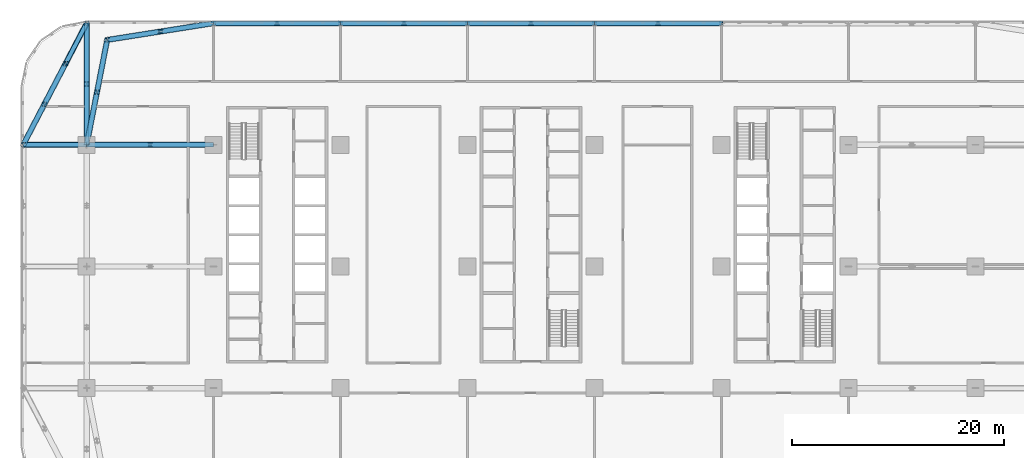
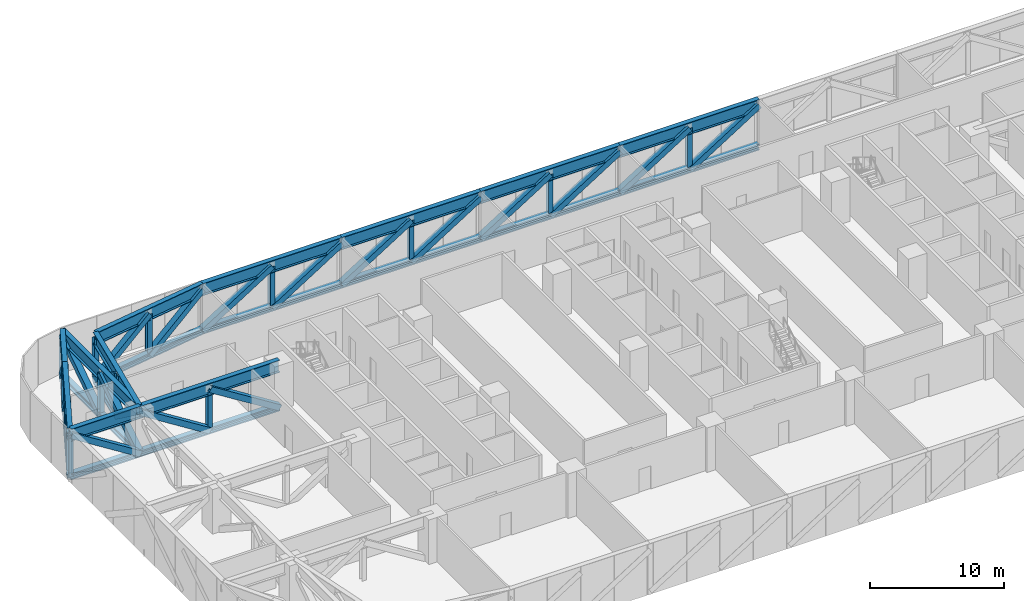
# One storey, part 5 of 25: 55 members.
"""IFC4 building model written with IfcOpenShell, lengths in metres."""

import ifcopenshell
import ifcopenshell.guid

model = None  # the IFC model being written
_history = None  # IfcOwnerHistory: only IFC2X3 demands one
_inside = {}  # id of a spatial element -> (the spatial element, [elements in it])
_under = {}  # id of a project, library or spatial element -> (it, [spatial elements below it])
_declared = {}  # id of a project -> (the project, [libraries it declares])
_typed = {}  # id of a type object -> (the type object, [elements of that type])
_made_of = {}  # id of a material, layer set ... -> (it, [elements and type objects made of it])


def new_model(schema):
    """Start an empty IFC model of exactly this schema.

    Asked for "IFC4X3", IfcOpenShell would pick the latest addendum, in which some entities
    have other attributes; the version numbers below select the first issue.
    IFC2X3 requires an IfcOwnerHistory on every rooted entity: one is made here for all.
    """
    global model, _history
    if schema == "IFC4X3":
        model = ifcopenshell.file(schema_version=(4, 3, 0, 0))
    else:
        model = ifcopenshell.file(schema=schema)
    _inside.clear()
    _under.clear()
    _declared.clear()
    _typed.clear()
    _made_of.clear()
    _history = None
    if model.schema == "IFC2X3":
        org = make("IfcOrganization", Name="unknown")
        user = make(
            "IfcPersonAndOrganization",
            ThePerson=make("IfcPerson", FamilyName="unknown"),
            TheOrganization=org,
        )
        app = make(
            "IfcApplication",
            ApplicationDeveloper=org,
            Version="unknown",
            ApplicationFullName="unknown",
            ApplicationIdentifier="unknown",
        )
        _history = make(
            "IfcOwnerHistory",
            OwningUser=user,
            OwningApplication=app,
            ChangeAction="ADDED",
            CreationDate=0,
        )
    return model


def make(cls, **values):
    """One entity of the class cls with the attributes given. An attribute that is None is left unset."""
    return model.create_entity(
        cls, **{name: value for name, value in values.items() if value is not None}
    )


def rooted(cls, **values):
    """An entity with a GlobalId (a new one), such as an element, a storey or a relation."""
    return make(cls, GlobalId=ifcopenshell.guid.new(), OwnerHistory=_history, **values)


def si_unit(unit_type, name, prefix=None):
    """IfcSIUnit, for example si_unit("LENGTHUNIT", "METRE", prefix="MILLI")."""
    return make("IfcSIUnit", UnitType=unit_type, Prefix=prefix, Name=name)


def assignment(units):
    """IfcUnitAssignment: the units of a project."""
    return None if units is None else make("IfcUnitAssignment", Units=units)


def point(xyz):
    """IfcCartesianPoint."""
    return None if xyz is None else make("IfcCartesianPoint", Coordinates=xyz)


def direction(xyz):
    """IfcDirection."""
    return None if xyz is None else make("IfcDirection", DirectionRatios=xyz)


def frame(location, z_axis=None, x_axis=None):
    """IfcAxis2Placement3D, a coordinate frame: its origin and axes. An axis left out is left unset."""
    return make(
        "IfcAxis2Placement3D",
        Location=point(location),
        Axis=direction(z_axis),
        RefDirection=direction(x_axis),
    )


def frame_2d(location, x_axis=None):
    """IfcAxis2Placement2D, a coordinate frame in the plane: its origin and x axis."""
    return make(
        "IfcAxis2Placement2D", Location=point(location), RefDirection=direction(x_axis)
    )


def origin():
    """The frame at (0, 0, 0) with its axes left unset."""
    return frame((0.0, 0.0, 0.0))


def origin_2d():
    """The frame at (0, 0) in the plane with its x axis left unset."""
    return frame_2d((0.0, 0.0))


def place(relative_to, where):
    """IfcLocalPlacement: puts the frame where relative to a parent placement (None: the world)."""
    return make(
        "IfcLocalPlacement", PlacementRelTo=relative_to, RelativePlacement=where
    )


def context(
    kind, dimensions, precision=None, world=None, true_north=None, identifier=None
):
    """IfcGeometricRepresentationContext, for example the 3D "Model" context."""
    return make(
        "IfcGeometricRepresentationContext",
        ContextIdentifier=identifier,
        ContextType=kind,
        CoordinateSpaceDimension=dimensions,
        Precision=precision,
        WorldCoordinateSystem=world,
        TrueNorth=true_north,
    )


def subcontext(parent, identifier, kind, view, scale=None):
    """IfcGeometricRepresentationSubContext, for example "Body" below "Model"."""
    return make(
        "IfcGeometricRepresentationSubContext",
        ContextIdentifier=identifier,
        ContextType=kind,
        ParentContext=parent,
        TargetScale=scale,
        TargetView=view,
    )


def project(units=None, contexts=None):
    """IfcProject with its units and contexts."""
    return rooted(
        "IfcProject",
        Name="project",
        RepresentationContexts=contexts,
        UnitsInContext=assignment(units),
    )


def spatial(cls, under=None, at=None, **own):
    """A site, building, storey or space (cls), placed at a placement, below another one or the project."""
    s = rooted(cls, ObjectPlacement=at, **own)
    if under is not None:
        _under.setdefault(under.id(), (under, []))[1].append(s)
    return s


def profile(cls, at=None, kind="AREA", **sizes):
    """A parametric profile (cls). Its sizes go by their IFC names, for example OverallWidth=200.0."""
    return make(cls, ProfileType=kind, Position=at, **sizes)


def hollow_rectangle(**sizes):
    """IfcRectangleHollowProfileDef."""
    return profile("IfcRectangleHollowProfileDef", **sizes)


def i_section(**sizes):
    """IfcIShapeProfileDef."""
    return profile("IfcIShapeProfileDef", **sizes)


def extrude(swept, where, along, depth):
    """IfcExtrudedAreaSolid: the profile swept, set in the frame where, extruded along a direction by depth."""
    return make(
        "IfcExtrudedAreaSolid",
        SweptArea=swept,
        Position=where,
        ExtrudedDirection=direction(along),
        Depth=depth,
    )


def shape(context_of_items, identifier, shape_type, items):
    """IfcShapeRepresentation: the items that make up one representation, for example the "Body"."""
    return make(
        "IfcShapeRepresentation",
        ContextOfItems=context_of_items,
        RepresentationIdentifier=identifier,
        RepresentationType=shape_type,
        Items=items,
    )


def material(Name=None, Category=None):
    """IfcMaterial."""
    return make("IfcMaterial", Name=Name, Category=Category)


def material_profile(
    of_material, cross_section, Name=None, Category=None, Priority=None
):
    """IfcMaterialProfile: a cross section and its material."""
    return make(
        "IfcMaterialProfile",
        Name=Name,
        Material=of_material,
        Profile=cross_section,
        Priority=Priority,
        Category=Category,
    )


def profile_set(profiles, Name=None, composite=None):
    """IfcMaterialProfileSet."""
    return make(
        "IfcMaterialProfileSet",
        Name=Name,
        MaterialProfiles=profiles,
        CompositeProfile=composite,
    )


def made_of(thing, what):
    """Note that an element or type object is made of a material, layer set ...; save() writes the relation."""
    if what is not None:
        _made_of.setdefault(what.id(), (what, []))[1].append(thing)
    return thing


def type_object(cls, material=None, **own):
    """A type object (cls), such as IfcWallType, which elements share."""
    return made_of(rooted(cls, **own), material)


def element(
    cls,
    number,
    at=None,
    inside=None,
    cuts=None,
    type_object=None,
    material=None,
    context=None,
    identifier="Body",
    shape_type=None,
    held_by="IfcProductDefinitionShape",
    body=None,
    shapes=None,
    **own,
):
    """One element of the class cls, such as IfcWall. Its Tag is "e" and its number.

    at: its placement. inside: the storey or other place that contains it. cuts: it is an
    opening in that element (IfcRelVoidsElement). A single representation is given by context,
    identifier, shape_type and body (its items); several are given by shapes. held_by: the class
    of the entity that holds the representations. save() writes the other relations.
    """
    e = rooted(cls, Tag="e%d" % number, ObjectPlacement=at, **own)
    if body is not None:
        shapes = [shape(context, identifier, shape_type, body)]
    if shapes is not None:
        e.Representation = make(held_by, Representations=shapes)
    if inside is not None:
        _inside.setdefault(inside.id(), (inside, []))[1].append(e)
    if cuts is not None:
        rooted(
            "IfcRelVoidsElement", RelatingBuildingElement=cuts, RelatedOpeningElement=e
        )
    if type_object is not None:
        _typed.setdefault(type_object.id(), (type_object, []))[1].append(e)
    return made_of(e, material)


def aggregate(whole, parts):
    """IfcRelAggregates: a whole, such as a stair, and the parts it consists of."""
    return rooted("IfcRelAggregates", RelatingObject=whole, RelatedObjects=parts)


def save(model, path):
    """Write the relations noted so far, then the file.

    IfcRelAggregates (storeys below a building ...), IfcRelContainedInSpatialStructure (elements
    in a storey), IfcRelDefinesByType, IfcRelAssociatesMaterial and IfcRelDeclares: one each for
    every whole, place, type object, material and project.
    """
    for whole, parts in _under.values():
        aggregate(whole, parts)
    for where, things in _inside.values():
        rooted(
            "IfcRelContainedInSpatialStructure",
            RelatedElements=things,
            RelatingStructure=where,
        )
    for kind, things in _typed.values():
        rooted("IfcRelDefinesByType", RelatedObjects=things, RelatingType=kind)
    for what, things in _made_of.values():
        rooted("IfcRelAssociatesMaterial", RelatedObjects=things, RelatingMaterial=what)
    for by, libraries in _declared.values():
        rooted("IfcRelDeclares", RelatingContext=by, RelatedDefinitions=libraries)
    model.write(path)


model = new_model("IFC4")

# Units and contexts
model_context = context("Model", 3, precision=1e-05, world=origin(), true_north=direction((0.0, 1.0)))
body_context = subcontext(model_context, "Body", "Model", "MODEL_VIEW")
ifc_project = project(units=[si_unit("LENGTHUNIT", "METRE"), si_unit("AREAUNIT", "SQUARE_METRE"), si_unit("VOLUMEUNIT", "CUBIC_METRE"), si_unit("PLANEANGLEUNIT", "RADIAN"), si_unit("MASSUNIT", "GRAM", prefix="KILO")], contexts=[model_context])

# Site, building, storey
site_placement = place(None, origin())
site = spatial("IfcSite", under=ifc_project, at=site_placement, CompositionType="ELEMENT")
building_placement = place(site_placement, origin())
building = spatial("IfcBuilding", under=site, at=building_placement, Name="Mahtab Terrace Research Tower", CompositionType="ELEMENT")
storey_placement = place(building_placement, frame((0.0, 0.0, 41.60009765625)))
storey = spatial("IfcBuildingStorey", under=building, at=storey_placement, Name="L09", CompositionType="ELEMENT", Elevation=41.60009765625)

# Members
ifc_material_1 = material(Name="Steel ASTM A500 Gr C", Category="steel")
ifc_material_profile_1 = material_profile(ifc_material_1, hollow_rectangle(XDim=0.508056640625, YDim=0.508056640625, WallThickness=0.01904296875, at=origin_2d()), Name="HSS20X20X3/4")
ifc_profile_set_1 = profile_set([ifc_material_profile_1], Name="Steel ASTM A500 Gr C")
member_type_1 = type_object("IfcMemberType", Name="HSS 20x20x3/4 brace TD202034", PredefinedType="BRACE", material=ifc_profile_set_1)
member_1_placement = place(storey_placement, frame((-48.0, 11.5, -0.27587890625), z_axis=(0.348374802551, 0.667661669927, 0.657923165315), x_axis=(-0.886568735502, 0.462596884155, 0.0)))
element("IfcMember", 1, at=member_1_placement, inside=storey, type_object=member_type_1, Name="Transfer truss T1 diagonal 007", PredefinedType="BRACE", context=body_context, shape_type="SweptSolid", body=[
    extrude(hollow_rectangle(XDim=0.508056640625, YDim=0.508056640625, WallThickness=0.01904296875, at=origin_2d()), origin(), (0.0, 0.0, 1.0), 5.740966796875),
])
member_2_placement = place(storey_placement, frame((-42.0, 11.5, -0.27587890625), z_axis=(-0.846275965704, 0.0, 0.532744769914), x_axis=(0.0, -1.0, 0.0)))
element("IfcMember", 2, at=member_2_placement, inside=storey, type_object=member_type_1, Name="Transfer truss T1 diagonal 008", PredefinedType="BRACE", context=body_context, shape_type="SweptSolid", body=[
    extrude(hollow_rectangle(XDim=0.508056640625, YDim=0.508056640625, WallThickness=0.01904296875, at=origin_2d()), origin(), (0.0, 0.0, 1.0), 7.08984375),
])
member_3_placement = place(storey_placement, frame((-44.0, 19.1669921875, -0.27587890625), z_axis=(-0.34833523845, -0.66775593074, 0.657848446541), x_axis=(0.886617057815, -0.462504262457, 0.0)))
element("IfcMember", 3, at=member_3_placement, inside=storey, type_object=member_type_1, Name="Transfer truss T1 diagonal 010", PredefinedType="BRACE", context=body_context, shape_type="SweptSolid", body=[
    extrude(hollow_rectangle(XDim=0.508056640625, YDim=0.508056640625, WallThickness=0.01904296875, at=origin_2d()), origin(), (0.0, 0.0, 1.0), 5.74169921875),
])
member_4_placement = place(storey_placement, frame((-42.0, 23.0, -0.27587890625), z_axis=(-0.348374802551, -0.667661669927, 0.657923165315), x_axis=(0.886568735502, -0.462596884155, 0.0)))
element("IfcMember", 4, at=member_4_placement, inside=storey, type_object=member_type_1, Name="Transfer truss T1 diagonal 012", PredefinedType="BRACE", context=body_context, shape_type="SweptSolid", body=[
    extrude(hollow_rectangle(XDim=0.508056640625, YDim=0.508056640625, WallThickness=0.01904296875, at=origin_2d()), origin(), (0.0, 0.0, 1.0), 5.740966796875),
])
member_5_placement = place(storey_placement, frame((-42.0, 11.5, -0.27587890625), z_axis=(0.0, 0.835803654064, 0.549028461788), x_axis=(-1.0, 0.0, 0.0)))
element("IfcMember", 5, at=member_5_placement, inside=storey, type_object=member_type_1, Name="Transfer truss T1 diagonal 023", PredefinedType="BRACE", context=body_context, shape_type="SweptSolid", body=[
    extrude(hollow_rectangle(XDim=0.508056640625, YDim=0.508056640625, WallThickness=0.01904296875, at=origin_2d()), origin(), (0.0, 0.0, 1.0), 6.879638671875),
])
member_6_placement = place(storey_placement, frame((-36.0, 11.5, -0.27587890625), z_axis=(-0.846275965704, 0.0, 0.532744769914), x_axis=(0.0, -1.0, 0.0)))
element("IfcMember", 6, at=member_6_placement, inside=storey, type_object=member_type_1, Name="Transfer truss T1 diagonal 024", PredefinedType="BRACE", context=body_context, shape_type="SweptSolid", body=[
    extrude(hollow_rectangle(XDim=0.508056640625, YDim=0.508056640625, WallThickness=0.01904296875, at=origin_2d()), origin(), (0.0, 0.0, 1.0), 7.08984375),
])
member_7_placement = place(storey_placement, frame((-42.0, 17.25, -0.27587890625), z_axis=(0.0, 0.835803654064, 0.549028461788), x_axis=(-1.0, 0.0, 0.0)))
element("IfcMember", 7, at=member_7_placement, inside=storey, type_object=member_type_1, Name="Transfer truss T1 diagonal 025", PredefinedType="BRACE", context=body_context, shape_type="SweptSolid", body=[
    extrude(hollow_rectangle(XDim=0.508056640625, YDim=0.508056640625, WallThickness=0.01904296875, at=origin_2d()), origin(), (0.0, 0.0, 1.0), 6.879638671875),
])
for number, where, z_axis, x_axis, name in (
    (8, (-41.031005859375, 16.4580078125, -0.27587890625), (-0.153620461814, -0.786022761028, 0.598806289928), (0.981431833016, -0.191811253951, 0.0), "Transfer truss T1 diagonal 027"),
    (9, (-40.06201171875, 21.416015625, -0.27587890625), (-0.153620461814, -0.786022761028, 0.598806289928), (0.981431833016, -0.191811253951, 0.0), "Transfer truss T1 diagonal 029"),
):
    element("IfcMember", number, at=place(storey_placement, frame(where, z_axis=z_axis, x_axis=x_axis)), inside=storey, type_object=member_type_1, Name=name, PredefinedType="BRACE", context=body_context, shape_type="SweptSolid", body=[
        extrude(hollow_rectangle(XDim=0.508056640625, YDim=0.508056640625, WallThickness=0.01904296875, at=origin_2d()), origin(), (0.0, 0.0, 1.0), 6.3076171875),
    ])
member_8_placement = place(storey_placement, frame((-30.0, 11.5, -0.27587890625), z_axis=(-0.846275965704, 0.0, 0.532744769914), x_axis=(0.0, -1.0, 0.0)))
element("IfcMember", 10, at=member_8_placement, inside=storey, type_object=member_type_1, Name="Transfer truss T1 diagonal 032", PredefinedType="BRACE", context=body_context, shape_type="SweptSolid", body=[
    extrude(hollow_rectangle(XDim=0.508056640625, YDim=0.508056640625, WallThickness=0.01904296875, at=origin_2d()), origin(), (0.0, 0.0, 1.0), 7.08984375),
])
for number, where, z_axis, x_axis, name in (
    (11, (-40.06201171875, 21.416015625, -0.27587890625), (0.793443713829, 0.124905682907, 0.595689217094), (-0.155507156777, 0.987834765632, 0.0), "Transfer truss T1 diagonal 034"),
    (12, (-35.031005859375, 22.2080078125, -0.27587890625), (0.793443713829, 0.124905682907, 0.595689217094), (-0.155507156777, 0.987834765632, 0.0), "Transfer truss T1 diagonal 036"),
):
    element("IfcMember", number, at=place(storey_placement, frame(where, z_axis=z_axis, x_axis=x_axis)), inside=storey, type_object=member_type_1, Name=name, PredefinedType="BRACE", context=body_context, shape_type="SweptSolid", body=[
        extrude(hollow_rectangle(XDim=0.508056640625, YDim=0.508056640625, WallThickness=0.01904296875, at=origin_2d()), origin(), (0.0, 0.0, 1.0), 6.3408203125),
    ])
for number, where, z_axis, x_axis, name in (
    (13, (-30.0, 23.0, -0.27587890625), (0.846275965704, 0.0, 0.532744769914), (0.0, 1.0, 0.0), "Transfer truss T1 diagonal 038"),
    (14, (-24.0, 23.0, -0.27587890625), (0.846275965704, 0.0, 0.532744769914), (0.0, 1.0, 0.0), "Transfer truss T1 diagonal 040"),
    (15, (-18.0, 23.0, -0.27587890625), (0.846275965704, 0.0, 0.532744769914), (0.0, 1.0, 0.0), "Transfer truss T1 diagonal 042"),
    (16, (-12.0, 23.0, -0.27587890625), (0.846275965704, 0.0, 0.532744769914), (0.0, 1.0, 0.0), "Transfer truss T1 diagonal 044"),
    (17, (-6.0, 23.0, -0.27587890625), (0.846275965704, 0.0, 0.532744769914), (0.0, 1.0, 0.0), "Transfer truss T1 diagonal 046"),
    (18, (0.0, 23.0, -0.27587890625), (0.846275965704, 0.0, 0.532744769914), (0.0, 1.0, 0.0), "Transfer truss T1 diagonal 048"),
    (19, (6.0, 23.0, -0.27587890625), (0.846275965704, 0.0, 0.532744769914), (0.0, 1.0, 0.0), "Transfer truss T1 diagonal 050"),
    (20, (12.0, 23.0, -0.27587890625), (0.846275965704, 0.0, 0.532744769914), (0.0, 1.0, 0.0), "Transfer truss T1 diagonal 052"),
):
    element("IfcMember", number, at=place(storey_placement, frame(where, z_axis=z_axis, x_axis=x_axis)), inside=storey, type_object=member_type_1, Name=name, PredefinedType="BRACE", context=body_context, shape_type="SweptSolid", body=[
        extrude(hollow_rectangle(XDim=0.508056640625, YDim=0.508056640625, WallThickness=0.01904296875, at=origin_2d()), origin(), (0.0, 0.0, 1.0), 7.08984375),
    ])
ifc_material_2 = material(Name="Steel ASTM A992 Gr 50", Category="steel")
ifc_material_profile_2 = material_profile(ifc_material_2, i_section(OverallWidth=0.398681640625, OverallDepth=0.393798828125, WebThickness=0.022705078125, FlangeThickness=0.03662109375, at=origin_2d()), Name="W14X193")
ifc_profile_set_2 = profile_set([ifc_material_profile_2], Name="Steel ASTM A992 Gr 50")
member_type_2 = type_object("IfcMemberType", Name="W14x193 post TP14193", PredefinedType="POST", material=ifc_profile_set_2)
for number, where, z_axis, x_axis, name in (
    (21, (-48.0, 11.5, -0.27587890625), (0.0, 0.0, 1.0), (1.0, 0.0, 0.0), "Transfer truss T1 post 005"),
    (22, (-46.0, 15.330078125, -0.27587890625), (0.0, 0.0, 1.0), (1.0, 0.0, 0.0), "Transfer truss T1 post 007"),
    (23, (-44.0, 19.169921875, -0.27587890625), (0.0, 0.0, 1.0), (1.0, 0.0, 0.0), "Transfer truss T1 post 009"),
    (24, (-42.0, 17.25, -0.27587890625), (0.0, 0.0, 1.0), (1.0, 0.0, 0.0), "Transfer truss T1 post 017"),
    (25, (-42.0, 23.0, -0.27587890625), (0.0, 0.0, 1.0), (1.0, 0.0, 0.0), "Transfer truss T1 post 018"),
    (26, (-41.030029296875, 16.4599609375, -0.27587890625), (0.0, 0.0, 1.0), (1.0, 0.0, 0.0), "Transfer truss T1 post 020"),
    (27, (-40.06005859375, 21.419921875, -0.27587890625), (0.0, 0.0, 1.0), (1.0, 0.0, 0.0), "Transfer truss T1 post 022"),
    (28, (-36.0, 11.5, -0.27587890625), (0.0, 0.0, 1.0), (1.0, 0.0, 0.0), "Transfer truss T1 post 025"),
    (29, (-35.030029296875, 22.2099609375, -0.27587890625), (0.0, 0.0, 1.0), (1.0, 0.0, 0.0), "Transfer truss T1 post 027"),
    (30, (-24.0, 23.0, -0.27587890625), (0.0, 0.0, 1.0), (1.0, 0.0, 0.0), "Transfer truss T1 post 034"),
    (31, (-12.0, 23.0, -0.27587890625), (0.0, 0.0, 1.0), (1.0, 0.0, 0.0), "Transfer truss T1 post 038"),
    (32, (0.0, 23.0, -0.27587890625), (0.0, 0.0, 1.0), (1.0, 0.0, 0.0), "Transfer truss T1 post 042"),
    (33, (12.0, 23.0, -0.27587890625), (0.0, 0.0, 1.0), (1.0, 0.0, 0.0), "Transfer truss T1 post 046"),
):
    element("IfcMember", number, at=place(storey_placement, frame(where, z_axis=z_axis, x_axis=x_axis)), inside=storey, type_object=member_type_2, Name=name, PredefinedType="POST", context=body_context, shape_type="SweptSolid", body=[
        extrude(i_section(OverallWidth=0.398681640625, OverallDepth=0.393798828125, WebThickness=0.022705078125, FlangeThickness=0.03662109375, at=origin_2d()), origin(), (0.0, 0.0, 1.0), 3.777099609375),
    ])
ifc_material_profile_3 = material_profile(ifc_material_2, i_section(OverallWidth=0.44970703125, OverallDepth=0.548583984375, WebThickness=0.072021484375, FlangeThickness=0.11474609375, at=origin_2d()), Name="W14X665")
ifc_profile_set_3 = profile_set([ifc_material_profile_3], Name="Steel ASTM A992 Gr 50")
member_type_3 = type_object("IfcMemberType", Name="W14x665 chord TC14665", PredefinedType="CHORD", material=ifc_profile_set_3)
member_9_placement = place(storey_placement, frame((-48.0, 11.5, -0.27587890625), z_axis=(0.4625505693, 0.886592900287, 0.0), x_axis=(-0.886592900287, 0.4625505693, 0.0)))
element("IfcMember", 34, at=member_9_placement, inside=storey, type_object=member_type_3, Name="Transfer truss T1 bottom chord 009", PredefinedType="CHORD", context=body_context, shape_type="SweptSolid", body=[
    extrude(i_section(OverallWidth=0.44970703125, OverallDepth=0.548583984375, WebThickness=0.072021484375, FlangeThickness=0.11474609375, at=origin_2d()), origin(), (0.0, 0.0, 1.0), 8.647705078125),
])
member_10_placement = place(storey_placement, frame((-44.0, 19.1669921875, -0.27587890625), z_axis=(0.462596884155, 0.886568735502, 0.0), x_axis=(-0.886568735502, 0.462596884155, 0.0)))
element("IfcMember", 35, at=member_10_placement, inside=storey, type_object=member_type_3, Name="Transfer truss T1 bottom chord 010", PredefinedType="CHORD", context=body_context, shape_type="SweptSolid", body=[
    extrude(i_section(OverallWidth=0.44970703125, OverallDepth=0.548583984375, WebThickness=0.072021484375, FlangeThickness=0.11474609375, at=origin_2d()), origin(), (0.0, 0.0, 1.0), 4.323486328125),
])
member_11_placement = place(storey_placement, frame((-48.0, 11.5, -0.27587890625), z_axis=(1.0, 0.0, 0.0), x_axis=(0.0, 1.0, 0.0)))
element("IfcMember", 36, at=member_11_placement, inside=storey, type_object=member_type_3, Name="Transfer truss T1 bottom chord 011", PredefinedType="CHORD", context=body_context, shape_type="SweptSolid", body=[
    extrude(i_section(OverallWidth=0.44970703125, OverallDepth=0.548583984375, WebThickness=0.072021484375, FlangeThickness=0.11474609375, at=origin_2d()), origin(), (0.0, 0.0, 1.0), 6.0),
])
member_12_placement = place(storey_placement, frame((-42.0, 11.5, -0.27587890625), z_axis=(1.0, 0.0, 0.0), x_axis=(0.0, 1.0, 0.0)))
element("IfcMember", 37, at=member_12_placement, inside=storey, type_object=member_type_3, Name="Transfer truss T1 bottom chord 012", PredefinedType="CHORD", context=body_context, shape_type="SweptSolid", body=[
    extrude(i_section(OverallWidth=0.44970703125, OverallDepth=0.548583984375, WebThickness=0.072021484375, FlangeThickness=0.11474609375, at=origin_2d()), origin(), (0.0, 0.0, 1.0), 12.0),
])
member_13_placement = place(storey_placement, frame((-42.0, 11.5, -0.27587890625), z_axis=(0.0, 1.0, 0.0), x_axis=(-1.0, 0.0, 0.0)))
element("IfcMember", 38, at=member_13_placement, inside=storey, type_object=member_type_3, Name="Transfer truss T1 bottom chord 016", PredefinedType="CHORD", context=body_context, shape_type="SweptSolid", body=[
    extrude(i_section(OverallWidth=0.44970703125, OverallDepth=0.548583984375, WebThickness=0.072021484375, FlangeThickness=0.11474609375, at=origin_2d()), origin(), (0.0, 0.0, 1.0), 11.5),
])
member_14_placement = place(storey_placement, frame((-40.06201171875, 21.416015625, -0.27587890625), z_axis=(-0.191811253951, -0.981431833016, 0.0), x_axis=(0.981431833016, -0.191811253951, 0.0)))
element("IfcMember", 39, at=member_14_placement, inside=storey, type_object=member_type_3, Name="Transfer truss T1 bottom chord 018", PredefinedType="CHORD", context=body_context, shape_type="SweptSolid", body=[
    extrude(i_section(OverallWidth=0.44970703125, OverallDepth=0.548583984375, WebThickness=0.072021484375, FlangeThickness=0.11474609375, at=origin_2d()), origin(), (0.0, 0.0, 1.0), 10.103515625),
])
member_15_placement = place(storey_placement, frame((-30.0, 23.0, -0.27587890625), z_axis=(-0.987834765632, -0.155507156777, 0.0), x_axis=(0.155507156777, -0.987834765632, 0.0)))
element("IfcMember", 40, at=member_15_placement, inside=storey, type_object=member_type_3, Name="Transfer truss T1 bottom chord 020", PredefinedType="CHORD", context=body_context, shape_type="SweptSolid", body=[
    extrude(i_section(OverallWidth=0.44970703125, OverallDepth=0.548583984375, WebThickness=0.072021484375, FlangeThickness=0.11474609375, at=origin_2d()), origin(), (0.0, 0.0, 1.0), 10.18603515625),
])
for number, where, z_axis, x_axis, name in (
    (41, (18.0, 23.0, -0.27587890625), (-1.0, 0.0, 0.0), (0.0, -1.0, 0.0), "Transfer truss T1 bottom chord 029"),
    (42, (6.0, 23.0, -0.27587890625), (-1.0, 0.0, 0.0), (0.0, -1.0, 0.0), "Transfer truss T1 bottom chord 030"),
    (43, (-6.0, 23.0, -0.27587890625), (-1.0, 0.0, 0.0), (0.0, -1.0, 0.0), "Transfer truss T1 bottom chord 031"),
    (44, (-18.0, 23.0, -0.27587890625), (-1.0, 0.0, 0.0), (0.0, -1.0, 0.0), "Transfer truss T1 bottom chord 032"),
):
    element("IfcMember", number, at=place(storey_placement, frame(where, z_axis=z_axis, x_axis=x_axis)), inside=storey, type_object=member_type_3, Name=name, PredefinedType="CHORD", context=body_context, shape_type="SweptSolid", body=[
        extrude(i_section(OverallWidth=0.44970703125, OverallDepth=0.548583984375, WebThickness=0.072021484375, FlangeThickness=0.11474609375, at=origin_2d()), origin(), (0.0, 0.0, 1.0), 12.0),
    ])
ifc_material_profile_4 = material_profile(ifc_material_2, i_section(OverallWidth=0.40380859375, OverallDepth=1.11767578125, WebThickness=0.026123046875, FlangeThickness=0.044921875, at=origin_2d()), Name="W44X335")
ifc_profile_set_4 = profile_set([ifc_material_profile_4], Name="Steel ASTM A992 Gr 50")
member_type_4 = type_object("IfcMemberType", Name="W44x335 chord TT44335", PredefinedType="CHORD", material=ifc_profile_set_4)
member_16_placement = place(storey_placement, frame((-48.0, 11.5, 3.501220703125), z_axis=(0.4625505693, 0.886592900287, 0.0), x_axis=(-0.886592900287, 0.4625505693, 0.0)))
element("IfcMember", 45, at=member_16_placement, inside=storey, type_object=member_type_4, Name="Transfer truss T1 top chord 009", PredefinedType="CHORD", context=body_context, shape_type="SweptSolid", body=[
    extrude(i_section(OverallWidth=0.40380859375, OverallDepth=1.11767578125, WebThickness=0.026123046875, FlangeThickness=0.044921875, at=origin_2d()), origin(), (0.0, 0.0, 1.0), 8.647705078125),
])
member_17_placement = place(storey_placement, frame((-44.0, 19.1669921875, 3.501220703125), z_axis=(0.462596884155, 0.886568735502, 0.0), x_axis=(-0.886568735502, 0.462596884155, 0.0)))
element("IfcMember", 46, at=member_17_placement, inside=storey, type_object=member_type_4, Name="Transfer truss T1 top chord 010", PredefinedType="CHORD", context=body_context, shape_type="SweptSolid", body=[
    extrude(i_section(OverallWidth=0.40380859375, OverallDepth=1.11767578125, WebThickness=0.026123046875, FlangeThickness=0.044921875, at=origin_2d()), origin(), (0.0, 0.0, 1.0), 4.323486328125),
])
member_18_placement = place(storey_placement, frame((-48.0, 11.5, 3.501220703125), z_axis=(1.0, 0.0, 0.0), x_axis=(0.0, 1.0, 0.0)))
element("IfcMember", 47, at=member_18_placement, inside=storey, type_object=member_type_4, Name="Transfer truss T1 top chord 011", PredefinedType="CHORD", context=body_context, shape_type="SweptSolid", body=[
    extrude(i_section(OverallWidth=0.40380859375, OverallDepth=1.11767578125, WebThickness=0.026123046875, FlangeThickness=0.044921875, at=origin_2d()), origin(), (0.0, 0.0, 1.0), 6.0),
])
member_19_placement = place(storey_placement, frame((-42.0, 11.5, 3.501220703125), z_axis=(1.0, 0.0, 0.0), x_axis=(0.0, 1.0, 0.0)))
element("IfcMember", 48, at=member_19_placement, inside=storey, type_object=member_type_4, Name="Transfer truss T1 top chord 012", PredefinedType="CHORD", context=body_context, shape_type="SweptSolid", body=[
    extrude(i_section(OverallWidth=0.40380859375, OverallDepth=1.11767578125, WebThickness=0.026123046875, FlangeThickness=0.044921875, at=origin_2d()), origin(), (0.0, 0.0, 1.0), 12.0),
])
member_20_placement = place(storey_placement, frame((-42.0, 11.5, 3.501220703125), z_axis=(0.0, 1.0, 0.0), x_axis=(-1.0, 0.0, 0.0)))
element("IfcMember", 49, at=member_20_placement, inside=storey, type_object=member_type_4, Name="Transfer truss T1 top chord 016", PredefinedType="CHORD", context=body_context, shape_type="SweptSolid", body=[
    extrude(i_section(OverallWidth=0.40380859375, OverallDepth=1.11767578125, WebThickness=0.026123046875, FlangeThickness=0.044921875, at=origin_2d()), origin(), (0.0, 0.0, 1.0), 11.5),
])
member_21_placement = place(storey_placement, frame((-40.06201171875, 21.416015625, 3.501220703125), z_axis=(-0.191811253951, -0.981431833016, 0.0), x_axis=(0.981431833016, -0.191811253951, 0.0)))
element("IfcMember", 50, at=member_21_placement, inside=storey, type_object=member_type_4, Name="Transfer truss T1 top chord 018", PredefinedType="CHORD", context=body_context, shape_type="SweptSolid", body=[
    extrude(i_section(OverallWidth=0.40380859375, OverallDepth=1.11767578125, WebThickness=0.026123046875, FlangeThickness=0.044921875, at=origin_2d()), origin(), (0.0, 0.0, 1.0), 10.103515625),
])
member_22_placement = place(storey_placement, frame((-30.0, 23.0, 3.501220703125), z_axis=(-0.987834765632, -0.155507156777, 0.0), x_axis=(0.155507156777, -0.987834765632, 0.0)))
element("IfcMember", 51, at=member_22_placement, inside=storey, type_object=member_type_4, Name="Transfer truss T1 top chord 020", PredefinedType="CHORD", context=body_context, shape_type="SweptSolid", body=[
    extrude(i_section(OverallWidth=0.40380859375, OverallDepth=1.11767578125, WebThickness=0.026123046875, FlangeThickness=0.044921875, at=origin_2d()), origin(), (0.0, 0.0, 1.0), 10.18603515625),
])
for number, where, z_axis, x_axis, name in (
    (52, (18.0, 23.0, 3.501220703125), (-1.0, 0.0, 0.0), (0.0, -1.0, 0.0), "Transfer truss T1 top chord 029"),
    (53, (6.0, 23.0, 3.501220703125), (-1.0, 0.0, 0.0), (0.0, -1.0, 0.0), "Transfer truss T1 top chord 030"),
    (54, (-6.0, 23.0, 3.501220703125), (-1.0, 0.0, 0.0), (0.0, -1.0, 0.0), "Transfer truss T1 top chord 031"),
    (55, (-18.0, 23.0, 3.501220703125), (-1.0, 0.0, 0.0), (0.0, -1.0, 0.0), "Transfer truss T1 top chord 032"),
):
    element("IfcMember", number, at=place(storey_placement, frame(where, z_axis=z_axis, x_axis=x_axis)), inside=storey, type_object=member_type_4, Name=name, PredefinedType="CHORD", context=body_context, shape_type="SweptSolid", body=[
        extrude(i_section(OverallWidth=0.40380859375, OverallDepth=1.11767578125, WebThickness=0.026123046875, FlangeThickness=0.044921875, at=origin_2d()), origin(), (0.0, 0.0, 1.0), 12.0),
    ])

save(model, "model.ifc")
